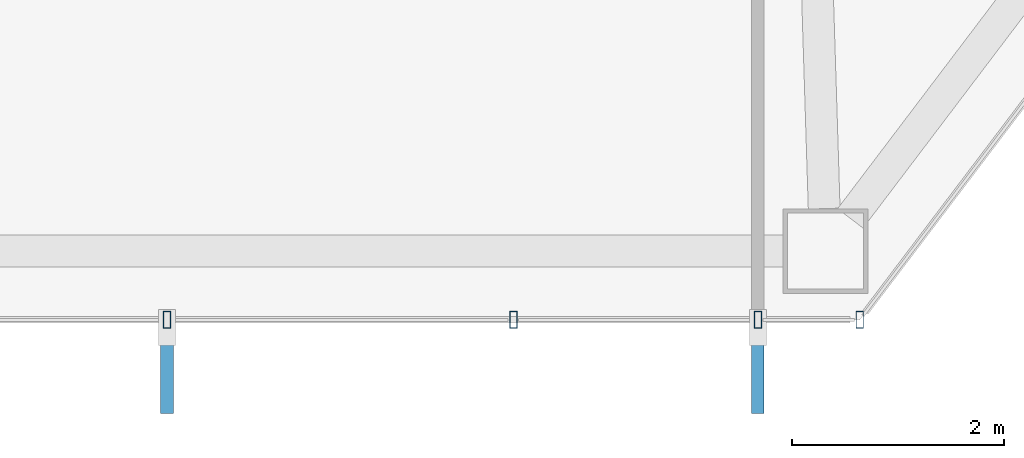
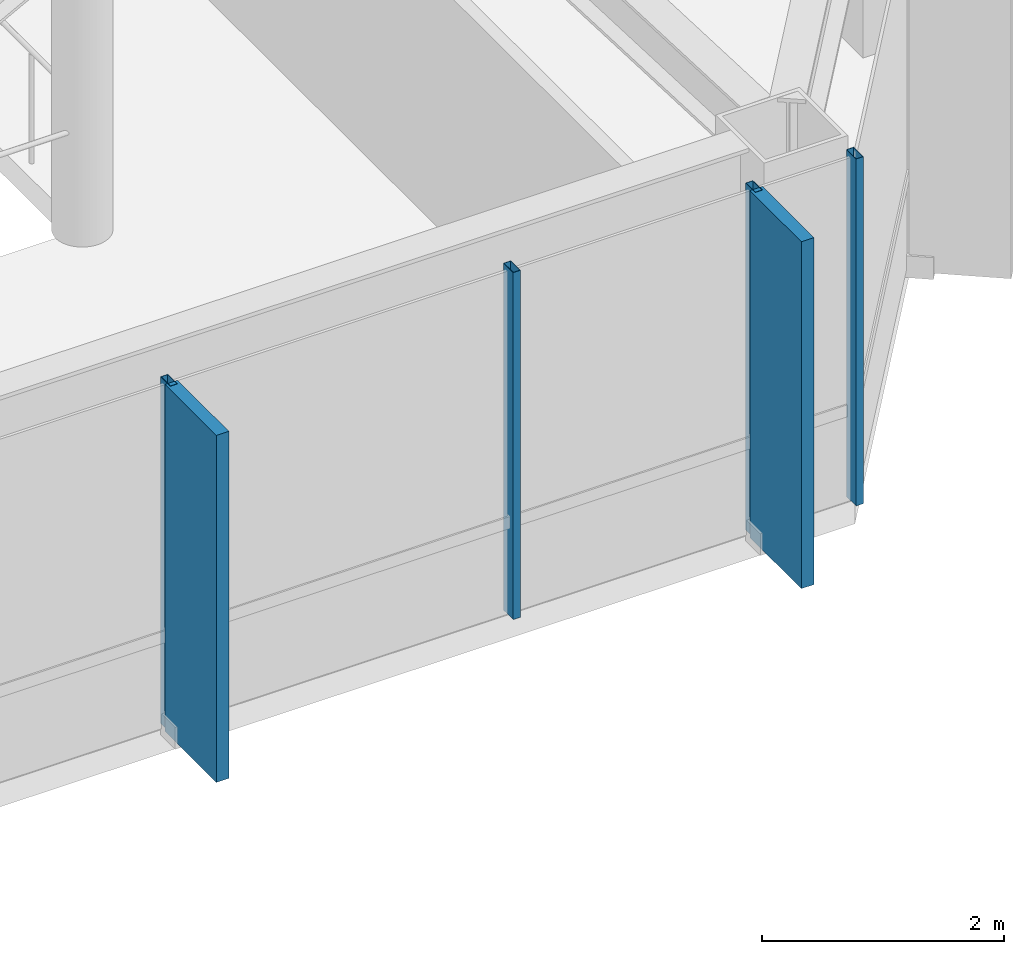
# One storey, part 8 of 28: 6 members, 1 element without a shape of its own.
"""IFC4 building model written with IfcOpenShell, lengths in metres."""

from ifc_helpers import new_model, si_unit, direction, frame, origin, origin_2d, place, context, subcontext, project, spatial, rectangle, hollow_rectangle, extrude, material, layer, layer_set, material_profile, profile_set, type_object, element, aggregate, save


model = new_model("IFC4")

# Units and contexts
model_context = context("Model", 3, precision=1e-05, world=origin(), true_north=direction((0.0, 1.0)))
body_context = subcontext(model_context, "Body", "Model", "MODEL_VIEW")
ifc_project = project(units=[si_unit("LENGTHUNIT", "METRE"), si_unit("AREAUNIT", "SQUARE_METRE"), si_unit("VOLUMEUNIT", "CUBIC_METRE"), si_unit("PLANEANGLEUNIT", "RADIAN"), si_unit("MASSUNIT", "GRAM", prefix="KILO")], contexts=[model_context])

# Site, building, storey
site_placement = place(None, origin())
site = spatial("IfcSite", under=ifc_project, at=site_placement, CompositionType="ELEMENT")
building_placement = place(site_placement, origin())
building = spatial("IfcBuilding", under=site, at=building_placement, Name="Zarrinselat Tower", CompositionType="ELEMENT")
storey_placement = place(building_placement, frame((0.0, 0.0, 145.860107421875)))
storey = spatial("IfcBuildingStorey", under=building, at=storey_placement, Name="L35", CompositionType="ELEMENT", Elevation=145.860107421875)

# Curtain wall, members
ifc_material_1 = material(Name="Extruded Aluminium Alloy EN AW-6063 T6", Category="aluminium")
ifc_layer = layer(ifc_material_1, 0.175048828125)
ifc_layer_set = layer_set([ifc_layer], Name="Extruded Aluminium Alloy EN AW-6063 T6")
curtain_wall_type = type_object("IfcCurtainWallType", Name="CWS-HTL", PredefinedType="NOTDEFINED", material=ifc_layer_set)
curtain_wall_placement = place(storey_placement, origin())
curtain_wall = element("IfcCurtainWall", 1, at=curtain_wall_placement, inside=storey, type_object=curtain_wall_type, Name="L35 Unitised Curtain Wall CW-L35-E04", PredefinedType="NOTDEFINED")
ifc_material_2 = material(Name="Extruded Aluminium Alloy EN AW-6063 T6", Category="aluminium")
ifc_material_profile_1 = material_profile(ifc_material_2, hollow_rectangle(XDim=0.070068359375, YDim=0.159912109375, WallThickness=0.00390625, at=origin_2d()), Name="RHS 160x70x4")
ifc_profile_set_1 = profile_set([ifc_material_profile_1], Name="Extruded Aluminium Alloy EN AW-6063 T6")
member_type_1 = type_object("IfcMemberType", Name="MEM-CW-MUL2", PredefinedType="MULLION", material=ifc_profile_set_1)
member_1_placement = place(storey_placement, frame((40.0361328125, 17.83154296875, 0.0), z_axis=(0.0, 0.0, 1.0), x_axis=(1.0, 0.0, 0.0)))
member_1 = element("IfcMember", 2, at=member_1_placement, type_object=member_type_1, Name="CW-L35-E04 Mullion 3", PredefinedType="MULLION", context=body_context, shape_type="SweptSolid", body=[
    extrude(hollow_rectangle(XDim=0.070068359375, YDim=0.159912109375, WallThickness=0.00390625, at=origin_2d()), origin(), (0.0, 0.0, 1.0), 3.5),
])
member_2_placement = place(storey_placement, frame((43.308349609375, 17.83154296875, 0.0), z_axis=(0.0, 0.0, 1.0), x_axis=(1.0, 0.0, 0.0)))
member_2 = element("IfcMember", 3, at=member_2_placement, type_object=member_type_1, Name="CW-L35-E04 Mullion 4", PredefinedType="MULLION", context=body_context, shape_type="SweptSolid", body=[
    extrude(hollow_rectangle(XDim=0.070068359375, YDim=0.159912109375, WallThickness=0.00390625, at=origin_2d()), origin(), (0.0, 0.0, 1.0), 3.5),
])
member_3_placement = place(storey_placement, frame((45.61865234375, 17.83154296875, 0.0), z_axis=(0.0, 0.0, 1.0), x_axis=(1.0, 0.0, 0.0)))
member_3 = element("IfcMember", 4, at=member_3_placement, type_object=member_type_1, Name="CW-L35-E04 Mullion 5", PredefinedType="MULLION", context=body_context, shape_type="SweptSolid", body=[
    extrude(hollow_rectangle(XDim=0.070068359375, YDim=0.159912109375, WallThickness=0.00390625, at=origin_2d()), origin(), (0.0, 0.0, 1.0), 3.5),
])
member_4_placement = place(storey_placement, frame((46.58056640625, 17.83154296875, 0.0), z_axis=(0.0, 0.0, 1.0), x_axis=(1.0, 0.0, 0.0)))
member_4 = element("IfcMember", 5, at=member_4_placement, type_object=member_type_1, Name="CW-L35-E04 Mullion 6", PredefinedType="MULLION", context=body_context, shape_type="SweptSolid", body=[
    extrude(hollow_rectangle(XDim=0.070068359375, YDim=0.159912109375, WallThickness=0.00390625, at=origin_2d()), origin(), (0.0, 0.0, 1.0), 3.5),
])
ifc_material_3 = material(Name="Honed Cream Travertine Stone", Category="masonry")
ifc_material_profile_2 = material_profile(ifc_material_3, rectangle(XDim=0.1201171875, YDim=0.85009765625, at=origin_2d()), Name="FIN 850x120")
ifc_profile_set_2 = profile_set([ifc_material_profile_2], Name="Honed Cream Travertine Stone")
member_type_2 = type_object("IfcMemberType", Name="MEM-STONE-FIN", PredefinedType="USERDEFINED", material=ifc_profile_set_2)
member_5_placement = place(storey_placement, frame((40.0361328125, 17.37158203125, 0.0), z_axis=(0.0, 0.0, 1.0), x_axis=(-1.0, 0.0, 0.0)))
member_5 = element("IfcMember", 6, at=member_5_placement, type_object=member_type_2, Name="L35 Stone Shading Fin CW-L35-E04-03", ObjectType="FIN", PredefinedType="USERDEFINED", context=body_context, shape_type="SweptSolid", body=[
    extrude(rectangle(XDim=0.1201171875, YDim=0.85009765625, at=origin_2d()), origin(), (0.0, 0.0, 1.0), 3.5),
])
member_6_placement = place(storey_placement, frame((45.61865234375, 17.37158203125, 0.0), z_axis=(0.0, 0.0, 1.0), x_axis=(-1.0, 0.0, 0.0)))
member_6 = element("IfcMember", 7, at=member_6_placement, type_object=member_type_2, Name="L35 Stone Shading Fin CW-L35-E04-05", ObjectType="FIN", PredefinedType="USERDEFINED", context=body_context, shape_type="SweptSolid", body=[
    extrude(rectangle(XDim=0.1201171875, YDim=0.85009765625, at=origin_2d()), origin(), (0.0, 0.0, 1.0), 3.5),
])
aggregate(curtain_wall, [member_1, member_5, member_2, member_3, member_6, member_4])

save(model, "model.ifc")
